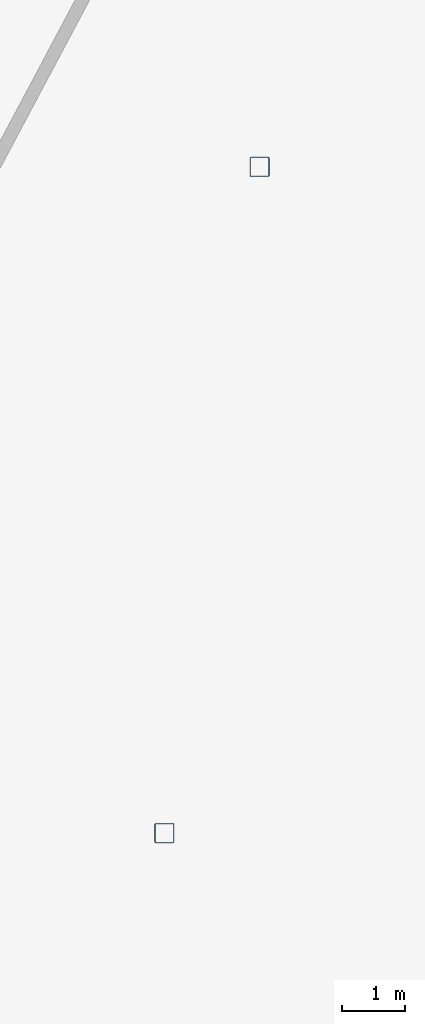
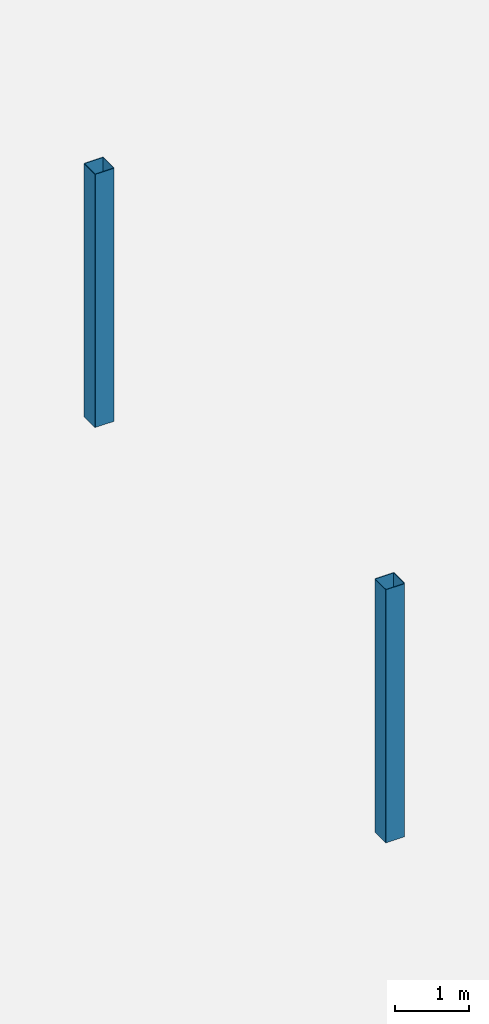
# One storey, part 2 of 16: 2 columns.
"""IFC4 building model written with IfcOpenShell, lengths in metres."""

from ifc_helpers import new_model, si_unit, direction, frame, origin, origin_2d, place, context, subcontext, project, spatial, hollow_rectangle, extrude, material, material_profile, profile_set, type_object, element, save


model = new_model("IFC4")

# Units and contexts
model_context = context("Model", 3, precision=1e-05, world=origin(), true_north=direction((0.0, 1.0)))
body_context = subcontext(model_context, "Body", "Model", "MODEL_VIEW")
ifc_project = project(units=[si_unit("LENGTHUNIT", "METRE"), si_unit("AREAUNIT", "SQUARE_METRE"), si_unit("VOLUMEUNIT", "CUBIC_METRE"), si_unit("PLANEANGLEUNIT", "RADIAN"), si_unit("MASSUNIT", "GRAM", prefix="KILO")], contexts=[model_context])

# Site, building, storey
site_placement = place(None, origin())
site = spatial("IfcSite", under=ifc_project, at=site_placement, CompositionType="ELEMENT")
building_placement = place(site_placement, origin())
building = spatial("IfcBuilding", under=site, at=building_placement, Name="Cormorant Relay Tower", CompositionType="ELEMENT")
storey_placement = place(building_placement, frame((0.0, 0.0, 340.800048828125)))
storey = spatial("IfcBuildingStorey", under=building, at=storey_placement, Name="C4", CompositionType="ELEMENT", Elevation=340.800048828125)

# Columns
ifc_material = material(Name="Steel ASTM A500 Grade C (Fy 345 MPa)", Category="steel")
ifc_material_profile = material_profile(ifc_material, hollow_rectangle(XDim=0.3046875, YDim=0.3046875, WallThickness=0.0087890625, InnerFilletRadius=0.00439453125, OuterFilletRadius=0.01318359375, at=origin_2d()), Name="HSS305x305x9")
ifc_profile_set = profile_set([ifc_material_profile], Name="Steel ASTM A500 Grade C (Fy 345 MPa)")
column_type = type_object("IfcColumnType", Name="Column HSS305x305x9", PredefinedType="COLUMN", material=ifc_profile_set)
for number, where, z_axis, x_axis, name in (
    (1, (-12.0, 0.0, 0.0), (0.0, 0.0, 1.0), (1.0, 0.0, 0.0), "Column C4-001"),
    (2, (-10.5, 10.5, 0.0), (0.0, 0.0, 1.0), (1.0, 0.0, 0.0), "Column C4-002"),
):
    element("IfcColumn", number, at=place(storey_placement, frame(where, z_axis=z_axis, x_axis=x_axis)), inside=storey, type_object=column_type, Name=name, PredefinedType="COLUMN", context=body_context, shape_type="SweptSolid", body=[
        extrude(hollow_rectangle(XDim=0.3046875, YDim=0.3046875, WallThickness=0.0087890625, InnerFilletRadius=0.00439453125, OuterFilletRadius=0.01318359375, at=origin_2d()), origin(), (0.0, 0.0, 1.0), 4.199951171875),
    ])

save(model, "model.ifc")
